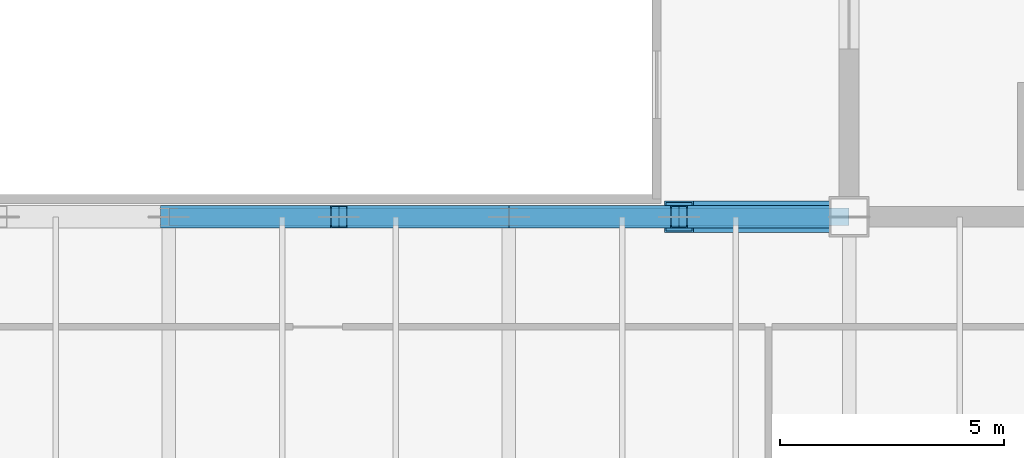
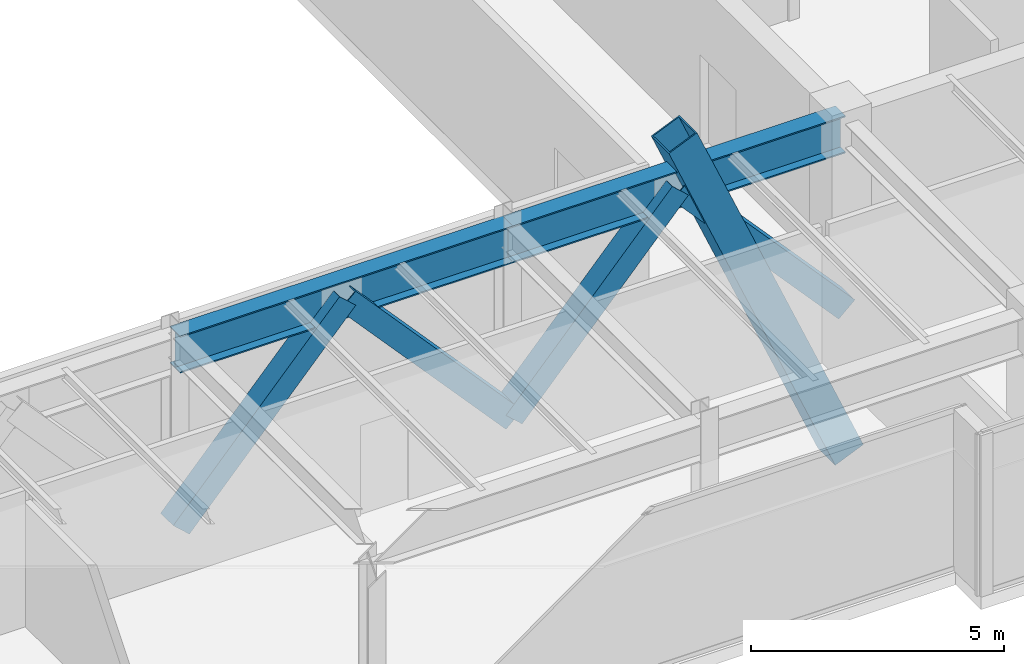
# One storey, part 12 of 32: 5 members, 2 beams.
"""IFC4 building model written with IfcOpenShell, lengths in metres."""

import ifcopenshell
import ifcopenshell.guid

model = None  # the IFC model being written
_history = None  # IfcOwnerHistory: only IFC2X3 demands one
_inside = {}  # id of a spatial element -> (the spatial element, [elements in it])
_under = {}  # id of a project, library or spatial element -> (it, [spatial elements below it])
_declared = {}  # id of a project -> (the project, [libraries it declares])
_typed = {}  # id of a type object -> (the type object, [elements of that type])
_made_of = {}  # id of a material, layer set ... -> (it, [elements and type objects made of it])


def new_model(schema):
    """Start an empty IFC model of exactly this schema.

    Asked for "IFC4X3", IfcOpenShell would pick the latest addendum, in which some entities
    have other attributes; the version numbers below select the first issue.
    IFC2X3 requires an IfcOwnerHistory on every rooted entity: one is made here for all.
    """
    global model, _history
    if schema == "IFC4X3":
        model = ifcopenshell.file(schema_version=(4, 3, 0, 0))
    else:
        model = ifcopenshell.file(schema=schema)
    _inside.clear()
    _under.clear()
    _declared.clear()
    _typed.clear()
    _made_of.clear()
    _history = None
    if model.schema == "IFC2X3":
        org = make("IfcOrganization", Name="unknown")
        user = make(
            "IfcPersonAndOrganization",
            ThePerson=make("IfcPerson", FamilyName="unknown"),
            TheOrganization=org,
        )
        app = make(
            "IfcApplication",
            ApplicationDeveloper=org,
            Version="unknown",
            ApplicationFullName="unknown",
            ApplicationIdentifier="unknown",
        )
        _history = make(
            "IfcOwnerHistory",
            OwningUser=user,
            OwningApplication=app,
            ChangeAction="ADDED",
            CreationDate=0,
        )
    return model


def make(cls, **values):
    """One entity of the class cls with the attributes given. An attribute that is None is left unset."""
    return model.create_entity(
        cls, **{name: value for name, value in values.items() if value is not None}
    )


def rooted(cls, **values):
    """An entity with a GlobalId (a new one), such as an element, a storey or a relation."""
    return make(cls, GlobalId=ifcopenshell.guid.new(), OwnerHistory=_history, **values)


def si_unit(unit_type, name, prefix=None):
    """IfcSIUnit, for example si_unit("LENGTHUNIT", "METRE", prefix="MILLI")."""
    return make("IfcSIUnit", UnitType=unit_type, Prefix=prefix, Name=name)


def assignment(units):
    """IfcUnitAssignment: the units of a project."""
    return None if units is None else make("IfcUnitAssignment", Units=units)


def point(xyz):
    """IfcCartesianPoint."""
    return None if xyz is None else make("IfcCartesianPoint", Coordinates=xyz)


def direction(xyz):
    """IfcDirection."""
    return None if xyz is None else make("IfcDirection", DirectionRatios=xyz)


def frame(location, z_axis=None, x_axis=None):
    """IfcAxis2Placement3D, a coordinate frame: its origin and axes. An axis left out is left unset."""
    return make(
        "IfcAxis2Placement3D",
        Location=point(location),
        Axis=direction(z_axis),
        RefDirection=direction(x_axis),
    )


def frame_2d(location, x_axis=None):
    """IfcAxis2Placement2D, a coordinate frame in the plane: its origin and x axis."""
    return make(
        "IfcAxis2Placement2D", Location=point(location), RefDirection=direction(x_axis)
    )


def origin():
    """The frame at (0, 0, 0) with its axes left unset."""
    return frame((0.0, 0.0, 0.0))


def origin_2d():
    """The frame at (0, 0) in the plane with its x axis left unset."""
    return frame_2d((0.0, 0.0))


def place(relative_to, where):
    """IfcLocalPlacement: puts the frame where relative to a parent placement (None: the world)."""
    return make(
        "IfcLocalPlacement", PlacementRelTo=relative_to, RelativePlacement=where
    )


def context(
    kind, dimensions, precision=None, world=None, true_north=None, identifier=None
):
    """IfcGeometricRepresentationContext, for example the 3D "Model" context."""
    return make(
        "IfcGeometricRepresentationContext",
        ContextIdentifier=identifier,
        ContextType=kind,
        CoordinateSpaceDimension=dimensions,
        Precision=precision,
        WorldCoordinateSystem=world,
        TrueNorth=true_north,
    )


def subcontext(parent, identifier, kind, view, scale=None):
    """IfcGeometricRepresentationSubContext, for example "Body" below "Model"."""
    return make(
        "IfcGeometricRepresentationSubContext",
        ContextIdentifier=identifier,
        ContextType=kind,
        ParentContext=parent,
        TargetScale=scale,
        TargetView=view,
    )


def project(units=None, contexts=None):
    """IfcProject with its units and contexts."""
    return rooted(
        "IfcProject",
        Name="project",
        RepresentationContexts=contexts,
        UnitsInContext=assignment(units),
    )


def spatial(cls, under=None, at=None, **own):
    """A site, building, storey or space (cls), placed at a placement, below another one or the project."""
    s = rooted(cls, ObjectPlacement=at, **own)
    if under is not None:
        _under.setdefault(under.id(), (under, []))[1].append(s)
    return s


def profile(cls, at=None, kind="AREA", **sizes):
    """A parametric profile (cls). Its sizes go by their IFC names, for example OverallWidth=200.0."""
    return make(cls, ProfileType=kind, Position=at, **sizes)


def hollow_rectangle(**sizes):
    """IfcRectangleHollowProfileDef."""
    return profile("IfcRectangleHollowProfileDef", **sizes)


def i_section(**sizes):
    """IfcIShapeProfileDef."""
    return profile("IfcIShapeProfileDef", **sizes)


def extrude(swept, where, along, depth):
    """IfcExtrudedAreaSolid: the profile swept, set in the frame where, extruded along a direction by depth."""
    return make(
        "IfcExtrudedAreaSolid",
        SweptArea=swept,
        Position=where,
        ExtrudedDirection=direction(along),
        Depth=depth,
    )


def shape(context_of_items, identifier, shape_type, items):
    """IfcShapeRepresentation: the items that make up one representation, for example the "Body"."""
    return make(
        "IfcShapeRepresentation",
        ContextOfItems=context_of_items,
        RepresentationIdentifier=identifier,
        RepresentationType=shape_type,
        Items=items,
    )


def source(mapping_origin, context_of_items, identifier, shape_type, items):
    """IfcRepresentationMap: a shape defined once, which mapped items show again and again."""
    return make(
        "IfcRepresentationMap",
        MappingOrigin=mapping_origin,
        MappedRepresentation=shape(context_of_items, identifier, shape_type, items),
    )


def transform(
    local_origin,
    x_axis=None,
    y_axis=None,
    z_axis=None,
    scale=None,
    scale2=None,
    scale3=None,
    uniform=True,
):
    """IfcCartesianTransformationOperator3D, or its non-uniform kind. x_axis, y_axis, z_axis: its Axis1, 2, 3."""
    if uniform:
        return make(
            "IfcCartesianTransformationOperator3D",
            Axis1=direction(x_axis),
            Axis2=direction(y_axis),
            LocalOrigin=point(local_origin),
            Scale=scale,
            Axis3=direction(z_axis),
        )
    return make(
        "IfcCartesianTransformationOperator3DnonUniform",
        Axis1=direction(x_axis),
        Axis2=direction(y_axis),
        LocalOrigin=point(local_origin),
        Scale=scale,
        Axis3=direction(z_axis),
        Scale2=scale2,
        Scale3=scale3,
    )


def mapped(mapping_source, mapping_target):
    """IfcMappedItem: shows the shape of a source again, moved by a transform."""
    return make(
        "IfcMappedItem", MappingSource=mapping_source, MappingTarget=mapping_target
    )


def material(Name=None, Category=None):
    """IfcMaterial."""
    return make("IfcMaterial", Name=Name, Category=Category)


def material_profile(
    of_material, cross_section, Name=None, Category=None, Priority=None
):
    """IfcMaterialProfile: a cross section and its material."""
    return make(
        "IfcMaterialProfile",
        Name=Name,
        Material=of_material,
        Profile=cross_section,
        Priority=Priority,
        Category=Category,
    )


def profile_set(profiles, Name=None, composite=None):
    """IfcMaterialProfileSet."""
    return make(
        "IfcMaterialProfileSet",
        Name=Name,
        MaterialProfiles=profiles,
        CompositeProfile=composite,
    )


def made_of(thing, what):
    """Note that an element or type object is made of a material, layer set ...; save() writes the relation."""
    if what is not None:
        _made_of.setdefault(what.id(), (what, []))[1].append(thing)
    return thing


def type_object(cls, material=None, **own):
    """A type object (cls), such as IfcWallType, which elements share."""
    return made_of(rooted(cls, **own), material)


def type_shapes(of_type, sources):
    """Give a type object the sources (RepresentationMaps) that its elements show as mapped items."""
    of_type.RepresentationMaps = sources


def element(
    cls,
    number,
    at=None,
    inside=None,
    cuts=None,
    type_object=None,
    material=None,
    context=None,
    identifier="Body",
    shape_type=None,
    held_by="IfcProductDefinitionShape",
    body=None,
    shapes=None,
    **own,
):
    """One element of the class cls, such as IfcWall. Its Tag is "e" and its number.

    at: its placement. inside: the storey or other place that contains it. cuts: it is an
    opening in that element (IfcRelVoidsElement). A single representation is given by context,
    identifier, shape_type and body (its items); several are given by shapes. held_by: the class
    of the entity that holds the representations. save() writes the other relations.
    """
    e = rooted(cls, Tag="e%d" % number, ObjectPlacement=at, **own)
    if body is not None:
        shapes = [shape(context, identifier, shape_type, body)]
    if shapes is not None:
        e.Representation = make(held_by, Representations=shapes)
    if inside is not None:
        _inside.setdefault(inside.id(), (inside, []))[1].append(e)
    if cuts is not None:
        rooted(
            "IfcRelVoidsElement", RelatingBuildingElement=cuts, RelatedOpeningElement=e
        )
    if type_object is not None:
        _typed.setdefault(type_object.id(), (type_object, []))[1].append(e)
    return made_of(e, material)


def aggregate(whole, parts):
    """IfcRelAggregates: a whole, such as a stair, and the parts it consists of."""
    return rooted("IfcRelAggregates", RelatingObject=whole, RelatedObjects=parts)


def save(model, path):
    """Write the relations noted so far, then the file.

    IfcRelAggregates (storeys below a building ...), IfcRelContainedInSpatialStructure (elements
    in a storey), IfcRelDefinesByType, IfcRelAssociatesMaterial and IfcRelDeclares: one each for
    every whole, place, type object, material and project.
    """
    for whole, parts in _under.values():
        aggregate(whole, parts)
    for where, things in _inside.values():
        rooted(
            "IfcRelContainedInSpatialStructure",
            RelatedElements=things,
            RelatingStructure=where,
        )
    for kind, things in _typed.values():
        rooted("IfcRelDefinesByType", RelatedObjects=things, RelatingType=kind)
    for what, things in _made_of.values():
        rooted("IfcRelAssociatesMaterial", RelatedObjects=things, RelatingMaterial=what)
    for by, libraries in _declared.values():
        rooted("IfcRelDeclares", RelatingContext=by, RelatedDefinitions=libraries)
    model.write(path)


model = new_model("IFC4")

# Units and contexts
model_context = context("Model", 3, precision=1e-05, world=origin(), true_north=direction((0.0, 1.0)))
body_context = subcontext(model_context, "Body", "Model", "MODEL_VIEW")
ifc_project = project(units=[si_unit("LENGTHUNIT", "METRE"), si_unit("AREAUNIT", "SQUARE_METRE"), si_unit("VOLUMEUNIT", "CUBIC_METRE"), si_unit("PLANEANGLEUNIT", "RADIAN"), si_unit("MASSUNIT", "GRAM", prefix="KILO")], contexts=[model_context])

# Site, building, storey
site_placement = place(None, origin())
site = spatial("IfcSite", under=ifc_project, at=site_placement, CompositionType="ELEMENT")
building_placement = place(site_placement, origin())
building = spatial("IfcBuilding", under=site, at=building_placement, Name="Haelvirn Gate Laboratories", CompositionType="ELEMENT")
storey_placement = place(building_placement, frame((0.0, 0.0, 301.800048828125)))
storey = spatial("IfcBuildingStorey", under=building, at=storey_placement, Name="L72", CompositionType="ELEMENT", Elevation=301.800048828125)

# Beams
ifc_material = material(Name="Steel SM420", Category="steel")
ifc_material_profile_1 = material_profile(ifc_material, i_section(OverallWidth=0.39990234375, OverallDepth=0.89990234375, WebThickness=0.01904296875, FlangeThickness=0.031982421875, at=origin_2d()), Name="H-900x400x19x32")
ifc_profile_set_1 = profile_set([ifc_material_profile_1], Name="Steel SM420")
beam_type = type_object("IfcBeamType", Name="BM-TG-900", PredefinedType="BEAM", material=ifc_profile_set_1)
shared_shape_1 = source(origin(), body_context, "Body", "SweptSolid", [
    extrude(i_section(OverallWidth=0.39990234375, OverallDepth=0.89990234375, WebThickness=0.01904296875, FlangeThickness=0.031982421875, at=origin_2d()), origin(), (0.0, 0.0, 1.0), 7.60009765625),
])
type_shapes(beam_type, [shared_shape_1])
for number, where, z_axis, x_axis, name in (
    (1, (37.39990234375, 14.800048828125, 3.449951171875), (1.0, 0.0, 0.0), (0.0, 1.0, 0.0), "L72 Primary Girder Y14.8 (37.4-45.0)"),
    (2, (45.0, 14.800048828125, 3.449951171875), (1.0, 0.0, 0.0), (0.0, 1.0, 0.0), "L72 Primary Girder Y14.8 (45.0-52.6)"),
):
    element("IfcBeam", number, at=place(storey_placement, frame(where, z_axis=z_axis, x_axis=x_axis)), inside=storey, type_object=beam_type, Name=name, PredefinedType="BEAM", context=body_context, shape_type="MappedRepresentation", body=[
        mapped(shared_shape_1, transform((0.0, 0.0, 0.0), scale=1.0)),
    ])

# Members
ifc_material_profile_2 = material_profile(ifc_material, hollow_rectangle(XDim=0.699951171875, YDim=0.699951171875, WallThickness=0.031982421875, at=origin_2d()), Name="BOX-700x700x32")
ifc_profile_set_2 = profile_set([ifc_material_profile_2], Name="Steel SM420")
member_type_1 = type_object("IfcMemberType", Name="MEM-ARCH-RIB", PredefinedType="CHORD", material=ifc_profile_set_2)
shared_shape_2 = source(origin(), body_context, "Body", "SweptSolid", [
    extrude(hollow_rectangle(XDim=0.699951171875, YDim=0.699951171875, WallThickness=0.031982421875, at=origin_2d()), origin(), (0.0, 0.0, 1.0), 9.639892578125),
])
type_shapes(member_type_1, [shared_shape_2])
member_placement = place(storey_placement, frame((48.800048828125, 14.800048828125, 4.659423828125), z_axis=(0.394197428644, 0.0, -0.919025781603), x_axis=(0.0, 1.0, 0.0)))
element("IfcMember", 3, at=member_placement, inside=storey, type_object=member_type_1, Name="Parabolic Steel Arch Rib Y14.8 Seg 8", PredefinedType="CHORD", context=body_context, shape_type="MappedRepresentation", body=[
    mapped(shared_shape_2, transform((0.0, 0.0, 0.0), scale=1.0)),
])
ifc_material_profile_3 = material_profile(ifc_material, hollow_rectangle(XDim=0.5, YDim=0.5, WallThickness=0.02197265625, at=origin_2d()), Name="BOX-500x500x22")
ifc_profile_set_3 = profile_set([ifc_material_profile_3], Name="Steel SM420")
member_type_2 = type_object("IfcMemberType", Name="MEM-ARCH-WEB", PredefinedType="BRACE", material=ifc_profile_set_3)
shared_shape_3 = source(origin(), body_context, "Body", "SweptSolid", [
    extrude(hollow_rectangle(XDim=0.5, YDim=0.5, WallThickness=0.02197265625, at=origin_2d()), origin(), (0.0, 0.0, 1.0), 5.663818359375),
])
type_shapes(member_type_2, [shared_shape_3])
for number, where, z_axis, x_axis, name in (
    (4, (37.39990234375, 14.800048828125, -0.75), (0.670922353302, 0.0, 0.741527609628), (0.0, 1.0, 0.0), "L72 Arch Truss Chevron Web Y14.8-3A"),
    (5, (41.199951171875, 14.800048828125, 3.449951171875), (0.670922353302, 0.0, -0.741527609628), (0.0, 1.0, 0.0), "L72 Arch Truss Chevron Web Y14.8-3B"),
    (6, (45.0, 14.800048828125, -0.75), (0.670922353302, 0.0, 0.741527609628), (0.0, 1.0, 0.0), "L72 Arch Truss Chevron Web Y14.8-4A"),
    (7, (48.800048828125, 14.800048828125, 3.449951171875), (0.670922353302, 0.0, -0.741527609628), (0.0, 1.0, 0.0), "L72 Arch Truss Chevron Web Y14.8-4B"),
):
    element("IfcMember", number, at=place(storey_placement, frame(where, z_axis=z_axis, x_axis=x_axis)), inside=storey, type_object=member_type_2, Name=name, PredefinedType="BRACE", context=body_context, shape_type="MappedRepresentation", body=[
        mapped(shared_shape_3, transform((0.0, 0.0, 0.0), scale=1.0)),
    ])

save(model, "model.ifc")
